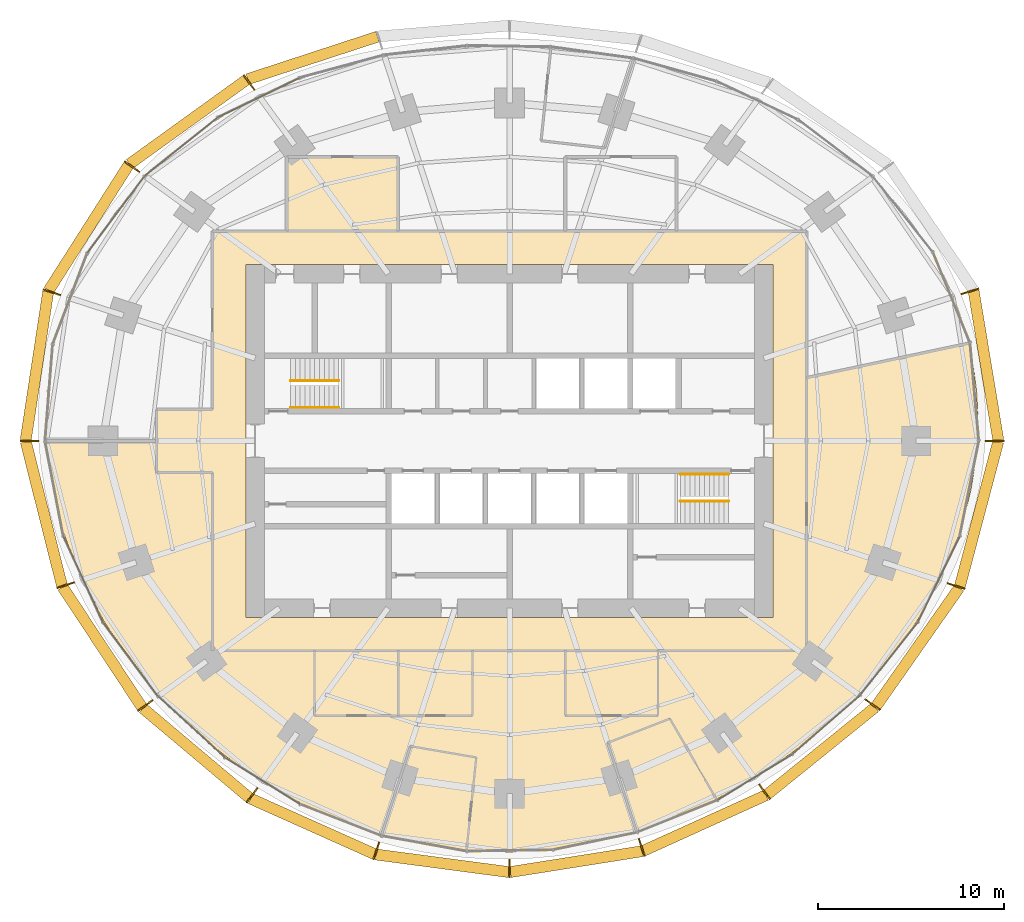
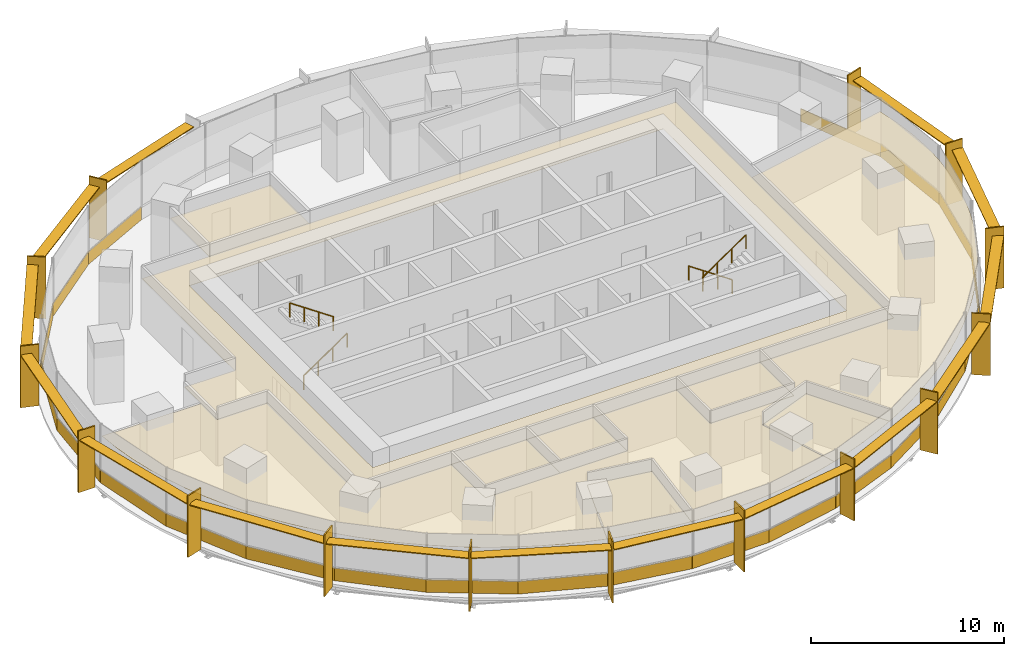
# One storey, part 13 of 14: 30 coverings, 30 shading devices, 4 railings.
"""IFC4 building model written with IfcOpenShell, lengths in metres."""

from ifc_helpers import new_model, si_unit, direction, frame, origin, origin_2d, place, context, subcontext, project, spatial, polyline, rectangle, circle, outline, extrude, material, layer, layer_set, type_object, element, save


model = new_model("IFC4")

# Units and contexts
model_context = context("Model", 3, precision=1e-05, world=origin(), true_north=direction((0.0, 1.0)))
body_context = subcontext(model_context, "Body", "Model", "MODEL_VIEW")
ifc_project = project(units=[si_unit("LENGTHUNIT", "METRE"), si_unit("AREAUNIT", "SQUARE_METRE"), si_unit("VOLUMEUNIT", "CUBIC_METRE"), si_unit("PLANEANGLEUNIT", "RADIAN"), si_unit("MASSUNIT", "GRAM", prefix="KILO")], contexts=[model_context])

# Site, building, storey
site_placement = place(None, origin())
site = spatial("IfcSite", under=ifc_project, at=site_placement, CompositionType="ELEMENT")
building_placement = place(site_placement, origin())
building = spatial("IfcBuilding", under=site, at=building_placement, Name="Marramba Exchange Tower", CompositionType="ELEMENT")
storey_placement = place(building_placement, frame((0.0, 0.0, 108.0)))
storey = spatial("IfcBuildingStorey", under=building, at=storey_placement, Name="L25", CompositionType="ELEMENT", Elevation=108.0)

# Shading devices
ifc_material_1 = material(Name="Aluminium blade, timber-look bronze finish", Category="wood")
ifc_layer_1 = layer(ifc_material_1, 0.080078125)
ifc_layer_set_1 = layer_set([ifc_layer_1], Name="Floor-edge blade 1000x80")
shading_device_type_1 = type_object("IfcShadingDeviceType", Name="Floor-edge blade 1000x80", PredefinedType="USERDEFINED", material=ifc_layer_set_1)
for number, where, z_axis, x_axis, name in (
    (1, (26.132080078125, 0.0, -0.159912109375), (0.0, 0.0, 1.0), (1.0, 0.0, 0.0), "Floor-edge blade FB1 L25 TC01"),
    (2, (24.798583984375, 8.0576171875, -0.159912109375), (0.0, 0.0, 1.0), (0.951056516295, 0.309016994375, 0.0), "Floor-edge blade FB1 L25 TC02"),
    (3, (-14.029296875, 19.3095703125, -0.159912109375), (0.0, 0.0, 1.0), (-0.587785252292, 0.809016994375, 0.0), "Floor-edge blade FB1 L25 TC08"),
    (4, (-20.33642578125, 14.775390625, -0.159912109375), (0.0, 0.0, 1.0), (-0.809016994375, 0.587785252292, 0.0), "Floor-edge blade FB1 L25 TC09"),
    (5, (-24.653076171875, 8.01025390625, -0.159912109375), (0.0, 0.0, 1.0), (-0.951056516295, 0.309016994375, 0.0), "Floor-edge blade FB1 L25 TC10"),
    (6, (-25.867919921875, 0.0, -0.159912109375), (0.0, 0.0, 1.0), (-1.0, 0.0, 0.0), "Floor-edge blade FB1 L25 TC11"),
    (7, (-23.90673828125, -7.767822265625, -0.159912109375), (0.0, 0.0, 1.0), (-0.951056516295, -0.309016994375, 0.0), "Floor-edge blade FB1 L25 TC12"),
    (8, (-19.618408203125, -14.253662109375, -0.159912109375), (0.0, 0.0, 1.0), (-0.809016994375, -0.587785252292, 0.0), "Floor-edge blade FB1 L25 TC13"),
    (9, (-13.866943359375, -19.08642578125, -0.159912109375), (0.0, 0.0, 1.0), (-0.587785252292, -0.809016994375, 0.0), "Floor-edge blade FB1 L25 TC14"),
    (10, (-7.173828125, -22.078857421875, -0.159912109375), (0.0, 0.0, 1.0), (-0.309016994375, -0.951056516295, 0.0), "Floor-edge blade FB1 L25 TC15"),
    (11, (0.0, -23.02685546875, -0.159912109375), (0.0, 0.0, 1.0), (0.0, -1.0, 0.0), "Floor-edge blade FB1 L25 TC16"),
    (12, (7.115966796875, -21.900634765625, -0.159912109375), (0.0, 0.0, 1.0), (0.309016994375, -0.951056516295, 0.0), "Floor-edge blade FB1 L25 TC17"),
    (13, (13.733154296875, -18.902099609375, -0.159912109375), (0.0, 0.0, 1.0), (0.587785252292, -0.809016994375, 0.0), "Floor-edge blade FB1 L25 TC18"),
    (14, (19.555908203125, -14.208251953125, -0.159912109375), (0.0, 0.0, 1.0), (0.809016994375, -0.587785252292, 0.0), "Floor-edge blade FB1 L25 TC19"),
    (15, (24.052001953125, -7.81494140625, -0.159912109375), (0.0, 0.0, 1.0), (0.951056516295, -0.309016994375, 0.0), "Floor-edge blade FB1 L25 TC20"),
):
    element("IfcShadingDevice", number, at=place(storey_placement, frame(where, z_axis=z_axis, x_axis=x_axis)), inside=storey, type_object=shading_device_type_1, Name=name, ObjectType="FIN", PredefinedType="USERDEFINED", context=body_context, shape_type="SweptSolid", body=[
        extrude(rectangle(XDim=1.0, YDim=0.080078125, at=origin_2d()), origin(), (0.0, 0.0, 1.0), 3.89990234375),
    ])
ifc_material_2 = material(Name="Aluminium sunshade, bronze anodised", Category="aluminium")
ifc_layer_2 = layer(ifc_material_2, 0.06005859375)
ifc_layer_set_2 = layer_set([ifc_layer_2], Name="SUNSHADE blade 600x60")
shading_device_type_2 = type_object("IfcShadingDeviceType", Name="SUNSHADE blade 600x60", PredefinedType="USERDEFINED", material=ifc_layer_set_2)
shading_device_1_placement = place(storey_placement, frame((25.660400390625, 4.0595703125, 3.159912109375), z_axis=(0.0, 0.0, 1.0), x_axis=(-0.163227675764, 0.986588427798, 0.0)))
element("IfcShadingDevice", 16, at=shading_device_1_placement, inside=storey, type_object=shading_device_type_2, Name="Sunshade SS1 L25 bay 01", ObjectType="SUNSHADE", PredefinedType="USERDEFINED", context=body_context, shape_type="SweptSolid", body=[
    extrude(rectangle(XDim=8.149658203125, YDim=0.60009765625, at=origin_2d()), origin(), (0.0, 0.0, 1.0), 0.06005859375),
])
shading_device_2_placement = place(storey_placement, frame((-10.61279296875, 20.628662109375, 3.159912109375), z_axis=(0.0, 0.0, 1.0), x_axis=(-0.950345637432, -0.311196351865, 0.0)))
element("IfcShadingDevice", 17, at=shading_device_2_placement, inside=storey, type_object=shading_device_type_2, Name="Sunshade SS1 L25 bay 07", ObjectType="SUNSHADE", PredefinedType="USERDEFINED", context=body_context, shape_type="SweptSolid", body=[
    extrude(rectangle(XDim=7.357421875, YDim=0.60009765625, at=origin_2d()), origin(), (0.0, 0.0, 1.0), 0.06005859375),
])
shading_device_3_placement = place(storey_placement, frame((-17.322509765625, 17.18212890625, 3.159912109375), z_axis=(0.0, 0.0, 1.0), x_axis=(-0.811199164202, -0.584769968448, 0.0)))
element("IfcShadingDevice", 18, at=shading_device_3_placement, inside=storey, type_object=shading_device_type_2, Name="Sunshade SS1 L25 bay 08", ObjectType="SUNSHADE", PredefinedType="USERDEFINED", context=body_context, shape_type="SweptSolid", body=[
    extrude(rectangle(XDim=7.749755859375, YDim=0.60009765625, at=origin_2d()), origin(), (0.0, 0.0, 1.0), 0.06005859375),
])
shading_device_4_placement = place(storey_placement, frame((-22.6708984375, 11.482421875, 3.159912109375), z_axis=(0.0, 0.0, 1.0), x_axis=(-0.537284770546, -0.843400898351, 0.0)))
element("IfcShadingDevice", 19, at=shading_device_4_placement, inside=storey, type_object=shading_device_type_2, Name="Sunshade SS1 L25 bay 09", ObjectType="SUNSHADE", PredefinedType="USERDEFINED", context=body_context, shape_type="SweptSolid", body=[
    extrude(rectangle(XDim=8.007080078125, YDim=0.60009765625, at=origin_2d()), origin(), (0.0, 0.0, 1.0), 0.06005859375),
])
shading_device_5_placement = place(storey_placement, frame((-25.455810546875, 4.0361328125, 3.159912109375), z_axis=(0.0, 0.0, 1.0), x_axis=(-0.14999307077, -0.988687047918, 0.0)))
element("IfcShadingDevice", 20, at=shading_device_5_placement, inside=storey, type_object=shading_device_type_2, Name="Sunshade SS1 L25 bay 10", ObjectType="SUNSHADE", PredefinedType="USERDEFINED", context=body_context, shape_type="SweptSolid", body=[
    extrude(rectangle(XDim=8.08447265625, YDim=0.60009765625, at=origin_2d()), origin(), (0.0, 0.0, 1.0), 0.06005859375),
])
shading_device_6_placement = place(storey_placement, frame((-25.08251953125, -3.914794921875, 3.159912109375), z_axis=(0.0, 0.0, 1.0), x_axis=(0.244116522902, -0.969745906537, 0.0)))
element("IfcShadingDevice", 21, at=shading_device_6_placement, inside=storey, type_object=shading_device_type_2, Name="Sunshade SS1 L25 bay 11", ObjectType="SUNSHADE", PredefinedType="USERDEFINED", context=body_context, shape_type="SweptSolid", body=[
    extrude(rectangle(XDim=7.993896484375, YDim=0.60009765625, at=origin_2d()), origin(), (0.0, 0.0, 1.0), 0.06005859375),
])
shading_device_7_placement = place(storey_placement, frame((-21.938720703125, -11.100341796875, 3.159912109375), z_axis=(0.0, 0.0, 1.0), x_axis=(0.550792342935, -0.834642315585, 0.0)))
element("IfcShadingDevice", 22, at=shading_device_7_placement, inside=storey, type_object=shading_device_type_2, Name="Sunshade SS1 L25 bay 12", ObjectType="SUNSHADE", PredefinedType="USERDEFINED", context=body_context, shape_type="SweptSolid", body=[
    extrude(rectangle(XDim=7.757568359375, YDim=0.60009765625, at=origin_2d()), origin(), (0.0, 0.0, 1.0), 0.06005859375),
])
shading_device_8_placement = place(storey_placement, frame((-16.88232421875, -16.8095703125, 3.159912109375), z_axis=(0.0, 0.0, 1.0), x_axis=(0.76513863304, -0.643865569998, 0.0)))
element("IfcShadingDevice", 23, at=shading_device_8_placement, inside=storey, type_object=shading_device_type_2, Name="Sunshade SS1 L25 bay 13", ObjectType="SUNSHADE", PredefinedType="USERDEFINED", context=body_context, shape_type="SweptSolid", body=[
    extrude(rectangle(XDim=7.49462890625, YDim=0.60009765625, at=origin_2d()), origin(), (0.0, 0.0, 1.0), 0.06005859375),
])
shading_device_9_placement = place(storey_placement, frame((-10.610107421875, -20.758544921875, 3.159912109375), z_axis=(0.0, 0.0, 1.0), x_axis=(0.912735880581, -0.408550134377, 0.0)))
element("IfcShadingDevice", 24, at=shading_device_9_placement, inside=storey, type_object=shading_device_type_2, Name="Sunshade SS1 L25 bay 14", ObjectType="SUNSHADE", PredefinedType="USERDEFINED", context=body_context, shape_type="SweptSolid", body=[
    extrude(rectangle(XDim=7.314208984375, YDim=0.60009765625, at=origin_2d()), origin(), (0.0, 0.0, 1.0), 0.06005859375),
])
shading_device_10_placement = place(storey_placement, frame((-3.617919921875, -22.748046875, 3.159912109375), z_axis=(0.0, 0.0, 1.0), x_axis=(0.991350478855, -0.131241106646, 0.0)))
element("IfcShadingDevice", 25, at=shading_device_10_placement, inside=storey, type_object=shading_device_type_2, Name="Sunshade SS1 L25 bay 15", ObjectType="SUNSHADE", PredefinedType="USERDEFINED", context=body_context, shape_type="SweptSolid", body=[
    extrude(rectangle(XDim=7.21875, YDim=0.60009765625, at=origin_2d()), origin(), (0.0, 0.0, 1.0), 0.06005859375),
])
shading_device_11_placement = place(storey_placement, frame((3.5888671875, -22.658935546875, 3.159912109375), z_axis=(0.0, 0.0, 1.0), x_axis=(0.987704817912, 0.15633039587, 0.0)))
element("IfcShadingDevice", 26, at=shading_device_11_placement, inside=storey, type_object=shading_device_type_2, Name="Sunshade SS1 L25 bay 16", ObjectType="SUNSHADE", PredefinedType="USERDEFINED", context=body_context, shape_type="SweptSolid", body=[
    extrude(rectangle(XDim=7.18701171875, YDim=0.60009765625, at=origin_2d()), origin(), (0.0, 0.0, 1.0), 0.06005859375),
])
shading_device_12_placement = place(storey_placement, frame((10.514404296875, -20.577392578125, 3.159912109375), z_axis=(0.0, 0.0, 1.0), x_axis=(0.910692240548, 0.413085515366, 0.0)))
element("IfcShadingDevice", 27, at=shading_device_12_placement, inside=storey, type_object=shading_device_type_2, Name="Sunshade SS1 L25 bay 17", ObjectType="SUNSHADE", PredefinedType="USERDEFINED", context=body_context, shape_type="SweptSolid", body=[
    extrude(rectangle(XDim=7.24755859375, YDim=0.60009765625, at=origin_2d()), origin(), (0.0, 0.0, 1.0), 0.06005859375),
])
shading_device_13_placement = place(storey_placement, frame((16.7841796875, -16.69482421875, 3.159912109375), z_axis=(0.0, 0.0, 1.0), x_axis=(0.777962439436, 0.628310785223, 0.0)))
element("IfcShadingDevice", 28, at=shading_device_13_placement, inside=storey, type_object=shading_device_type_2, Name="Sunshade SS1 L25 bay 18", ObjectType="SUNSHADE", PredefinedType="USERDEFINED", context=body_context, shape_type="SweptSolid", body=[
    extrude(rectangle(XDim=7.46142578125, YDim=0.60009765625, at=origin_2d()), origin(), (0.0, 0.0, 1.0), 0.06005859375),
])
shading_device_14_placement = place(storey_placement, frame((21.97998046875, -11.101318359375, 3.159912109375), z_axis=(0.0, 0.0, 1.0), x_axis=(0.574350885858, 0.818609222959, 0.0)))
element("IfcShadingDevice", 29, at=shading_device_14_placement, inside=storey, type_object=shading_device_type_2, Name="Sunshade SS1 L25 bay 19", ObjectType="SUNSHADE", PredefinedType="USERDEFINED", context=body_context, shape_type="SweptSolid", body=[
    extrude(rectangle(XDim=7.7978515625, YDim=0.60009765625, at=origin_2d()), origin(), (0.0, 0.0, 1.0), 0.06005859375),
])
shading_device_15_placement = place(storey_placement, frame((25.287109375, -3.9384765625, 3.159912109375), z_axis=(0.0, 0.0, 1.0), x_axis=(0.256422950151, 0.966564674833, 0.0)))
element("IfcShadingDevice", 30, at=shading_device_15_placement, inside=storey, type_object=shading_device_type_2, Name="Sunshade SS1 L25 bay 20", ObjectType="SUNSHADE", PredefinedType="USERDEFINED", context=body_context, shape_type="SweptSolid", body=[
    extrude(rectangle(XDim=8.0693359375, YDim=0.60009765625, at=origin_2d()), origin(), (0.0, 0.0, 1.0), 0.06005859375),
])

# Coverings
ifc_material_3 = material(Name="Aluminium spandrel panel, bronze anodised, insulated", Category="aluminium")
ifc_layer_3 = layer(ifc_material_3, 0.050048828125)
ifc_layer_set_3 = layer_set([ifc_layer_3], Name="Spandrel panel 800")
covering_type_1 = type_object("IfcCoveringType", Name="Spandrel panel 800", PredefinedType="CLADDING", material=ifc_layer_set_3)
covering_1_placement = place(storey_placement, frame((25.04541015625, 2.63671875, 0.0), z_axis=(0.0, 0.0, 1.0), x_axis=(-0.089412890131, 0.995994646109, 0.0)))
element("IfcCovering", 31, at=covering_1_placement, inside=storey, type_object=covering_type_1, Name="Spandrel panel SP1 L25 F01", PredefinedType="CLADDING", context=body_context, shape_type="SweptSolid", body=[
    extrude(rectangle(XDim=5.29443359375, YDim=0.050048828125, at=origin_2d()), origin(), (0.0, 0.0, 1.0), 0.800048828125),
])
covering_2_placement = place(storey_placement, frame((23.81201171875, 7.715576171875, 0.0), z_axis=(0.0, 0.0, 1.0), x_axis=(-0.377821185272, 0.925878583811, 0.0)))
element("IfcCovering", 32, at=covering_2_placement, inside=storey, type_object=covering_type_1, Name="Spandrel panel SP1 L25 F02", PredefinedType="CLADDING", context=body_context, shape_type="SweptSolid", body=[
    extrude(rectangle(XDim=5.27587890625, YDim=0.050048828125, at=origin_2d()), origin(), (0.0, 0.0, 1.0), 0.800048828125),
])
covering_3_placement = place(storey_placement, frame((-13.49609375, 18.498291015625, 0.0), z_axis=(0.0, 0.0, 1.0), x_axis=(-0.900223736484, -0.435427633794, 0.0)))
element("IfcCovering", 33, at=covering_3_placement, inside=storey, type_object=covering_type_1, Name="Spandrel panel SP1 L25 F11", PredefinedType="CLADDING", context=body_context, shape_type="SweptSolid", body=[
    extrude(rectangle(XDim=4.890625, YDim=0.050048828125, at=origin_2d()), origin(), (0.0, 0.0, 1.0), 0.800048828125),
])
covering_4_placement = place(storey_placement, frame((-17.673095703125, 15.854736328125, 0.0), z_axis=(0.0, 0.0, 1.0), x_axis=(-0.781178328369, -0.624307952285, 0.0)))
element("IfcCovering", 34, at=covering_4_placement, inside=storey, type_object=covering_type_1, Name="Spandrel panel SP1 L25 F12", PredefinedType="CLADDING", context=body_context, shape_type="SweptSolid", body=[
    extrude(rectangle(XDim=5.058349609375, YDim=0.050048828125, at=origin_2d()), origin(), (0.0, 0.0, 1.0), 0.800048828125),
])
covering_5_placement = place(storey_placement, frame((-21.19580078125, 12.20068359375, 0.0), z_axis=(0.0, 0.0, 1.0), x_axis=(-0.597703998161, -0.801716864349, 0.0)))
element("IfcCovering", 35, at=covering_5_placement, inside=storey, type_object=covering_type_1, Name="Spandrel panel SP1 L25 F13", PredefinedType="CLADDING", context=body_context, shape_type="SweptSolid", body=[
    extrude(rectangle(XDim=5.17626953125, YDim=0.050048828125, at=origin_2d()), origin(), (0.0, 0.0, 1.0), 0.800048828125),
])
covering_6_placement = place(storey_placement, frame((-23.671875, 7.677490234375, 0.0), z_axis=(0.0, 0.0, 1.0), x_axis=(-0.354844476365, -0.934925343326, 0.0)))
element("IfcCovering", 36, at=covering_6_placement, inside=storey, type_object=covering_type_1, Name="Spandrel panel SP1 L25 F14", PredefinedType="CLADDING", context=body_context, shape_type="SweptSolid", body=[
    extrude(rectangle(XDim=5.2373046875, YDim=0.050048828125, at=origin_2d()), origin(), (0.0, 0.0, 1.0), 0.800048828125),
])
covering_7_placement = place(storey_placement, frame((-24.8095703125, 2.614501953125, 0.0), z_axis=(0.0, 0.0, 1.0), x_axis=(-0.079459700697, -0.996838079111, 0.0)))
element("IfcCovering", 37, at=covering_7_placement, inside=storey, type_object=covering_type_1, Name="Spandrel panel SP1 L25 F15", PredefinedType="CLADDING", context=body_context, shape_type="SweptSolid", body=[
    extrude(rectangle(XDim=5.245849609375, YDim=0.050048828125, at=origin_2d()), origin(), (0.0, 0.0, 1.0), 0.800048828125),
])
covering_8_placement = place(storey_placement, frame((-24.5283203125, -2.5546875, 0.0), z_axis=(0.0, 0.0, 1.0), x_axis=(0.188227222909, -0.982125507538, 0.0)))
element("IfcCovering", 38, at=covering_8_placement, inside=storey, type_object=covering_type_1, Name="Spandrel panel SP1 L25 F16", PredefinedType="CLADDING", context=body_context, shape_type="SweptSolid", body=[
    extrude(rectangle(XDim=5.20263671875, YDim=0.050048828125, at=origin_2d()), origin(), (0.0, 0.0, 1.0), 0.800048828125),
])
covering_9_placement = place(storey_placement, frame((-22.973876953125, -7.43212890625, 0.0), z_axis=(0.0, 0.0, 1.0), x_axis=(0.416737850896, -0.909026712275, 0.0)))
element("IfcCovering", 39, at=covering_9_placement, inside=storey, type_object=covering_type_1, Name="Spandrel panel SP1 L25 F17", PredefinedType="CLADDING", context=body_context, shape_type="SweptSolid", body=[
    extrude(rectangle(XDim=5.10986328125, YDim=0.050048828125, at=origin_2d()), origin(), (0.0, 0.0, 1.0), 0.800048828125),
])
covering_10_placement = place(storey_placement, frame((-20.419921875, -11.75439453125, 0.0), z_axis=(0.0, 0.0, 1.0), x_axis=(0.597304701232, -0.802014397555, 0.0)))
element("IfcCovering", 40, at=covering_10_placement, inside=storey, type_object=covering_type_1, Name="Spandrel panel SP1 L25 F18", PredefinedType="CLADDING", context=body_context, shape_type="SweptSolid", body=[
    extrude(rectangle(XDim=4.986572265625, YDim=0.050048828125, at=origin_2d()), origin(), (0.0, 0.0, 1.0), 0.800048828125),
])
covering_11_placement = place(storey_placement, frame((-17.135986328125, -15.39599609375, 0.0), z_axis=(0.0, 0.0, 1.0), x_axis=(0.737821889246, -0.674995451651, 0.0)))
element("IfcCovering", 41, at=covering_11_placement, inside=storey, type_object=covering_type_1, Name="Spandrel panel SP1 L25 F19", PredefinedType="CLADDING", context=body_context, shape_type="SweptSolid", body=[
    extrude(rectangle(XDim=4.865234375, YDim=0.050048828125, at=origin_2d()), origin(), (0.0, 0.0, 1.0), 0.800048828125),
])
covering_12_placement = place(storey_placement, frame((-13.31787109375, -18.300537109375, 0.0), z_axis=(0.0, 0.0, 1.0), x_axis=(0.848354599309, -0.529428440708, 0.0)))
element("IfcCovering", 42, at=covering_12_placement, inside=storey, type_object=covering_type_1, Name="Spandrel panel SP1 L25 F20", PredefinedType="CLADDING", context=body_context, shape_type="SweptSolid", body=[
    extrude(rectangle(XDim=4.76953125, YDim=0.050048828125, at=origin_2d()), origin(), (0.0, 0.0, 1.0), 0.800048828125),
])
covering_13_placement = place(storey_placement, frame((-9.10302734375, -20.416748046875, 0.0), z_axis=(0.0, 0.0, 1.0), x_axis=(0.931818387481, -0.362924913381, 0.0)))
element("IfcCovering", 43, at=covering_13_placement, inside=storey, type_object=covering_type_1, Name="Spandrel panel SP1 L25 F21", PredefinedType="CLADDING", context=body_context, shape_type="SweptSolid", body=[
    extrude(rectangle(XDim=4.704345703125, YDim=0.050048828125, at=origin_2d()), origin(), (0.0, 0.0, 1.0), 0.800048828125),
])
covering_14_placement = place(storey_placement, frame((-4.616943359375, -21.685302734375, 0.0), z_axis=(0.0, 0.0, 1.0), x_axis=(0.984031866928, -0.177992373069, 0.0)))
element("IfcCovering", 44, at=covering_14_placement, inside=storey, type_object=covering_type_1, Name="Spandrel panel SP1 L25 F22", PredefinedType="CLADDING", context=body_context, shape_type="SweptSolid", body=[
    extrude(rectangle(XDim=4.662841796875, YDim=0.050048828125, at=origin_2d()), origin(), (0.0, 0.0, 1.0), 0.800048828125),
])
covering_15_placement = place(storey_placement, frame((-0.003662109375, -22.065185546875, 0.0), z_axis=(0.0, 0.0, 1.0), x_axis=(0.999884797651, 0.015178650325, 0.0)))
element("IfcCovering", 45, at=covering_15_placement, inside=storey, type_object=covering_type_1, Name="Spandrel panel SP1 L25 F23", PredefinedType="CLADDING", context=body_context, shape_type="SweptSolid", body=[
    extrude(rectangle(XDim=4.638916015625, YDim=0.050048828125, at=origin_2d()), origin(), (0.0, 0.0, 1.0), 0.800048828125),
])
covering_16_placement = place(storey_placement, frame((4.58447265625, -21.56103515625, 0.0), z_axis=(0.0, 0.0, 1.0), x_axis=(0.979310200528, 0.202364846604, 0.0)))
element("IfcCovering", 46, at=covering_16_placement, inside=storey, type_object=covering_type_1, Name="Spandrel panel SP1 L25 F24", PredefinedType="CLADDING", context=body_context, shape_type="SweptSolid", body=[
    extrude(rectangle(XDim=4.6337890625, YDim=0.050048828125, at=origin_2d()), origin(), (0.0, 0.0, 1.0), 0.800048828125),
])
covering_17_placement = place(storey_placement, frame((9.014892578125, -20.225341796875, 0.0), z_axis=(0.0, 0.0, 1.0), x_axis=(0.928148914987, 0.372209069755, 0.0)))
element("IfcCovering", 47, at=covering_17_placement, inside=storey, type_object=covering_type_1, Name="Spandrel panel SP1 L25 F25", PredefinedType="CLADDING", context=body_context, shape_type="SweptSolid", body=[
    extrude(rectangle(XDim=4.657958984375, YDim=0.050048828125, at=origin_2d()), origin(), (0.0, 0.0, 1.0), 0.800048828125),
])
covering_18_placement = place(storey_placement, frame((13.193115234375, -18.125244140625, 0.0), z_axis=(0.0, 0.0, 1.0), x_axis=(0.853109118827, 0.521732528576, 0.0)))
element("IfcCovering", 48, at=covering_18_placement, inside=storey, type_object=covering_type_1, Name="Spandrel panel SP1 L25 F26", PredefinedType="CLADDING", context=body_context, shape_type="SweptSolid", body=[
    extrude(rectangle(XDim=4.7275390625, YDim=0.050048828125, at=origin_2d()), origin(), (0.0, 0.0, 1.0), 0.800048828125),
])
covering_19_placement = place(storey_placement, frame((17.038818359375, -15.30029296875, 0.0), z_axis=(0.0, 0.0, 1.0), x_axis=(0.754385510875, 0.656431642277, 0.0)))
element("IfcCovering", 49, at=covering_19_placement, inside=storey, type_object=covering_type_1, Name="Spandrel panel SP1 L25 F27", PredefinedType="CLADDING", context=body_context, shape_type="SweptSolid", body=[
    extrude(rectangle(XDim=4.849609375, YDim=0.050048828125, at=origin_2d()), origin(), (0.0, 0.0, 1.0), 0.800048828125),
])
covering_20_placement = place(storey_placement, frame((20.425048828125, -11.747802734375, 0.0), z_axis=(0.0, 0.0, 1.0), x_axis=(0.621807470279, 0.783170141097, 0.0)))
element("IfcCovering", 50, at=covering_20_placement, inside=storey, type_object=covering_type_1, Name="Spandrel panel SP1 L25 F28", PredefinedType="CLADDING", context=body_context, shape_type="SweptSolid", body=[
    extrude(rectangle(XDim=5.00732421875, YDim=0.050048828125, at=origin_2d()), origin(), (0.0, 0.0, 1.0), 0.800048828125),
])
covering_21_placement = place(storey_placement, frame((23.114013671875, -7.47021484375, 0.0), z_axis=(0.0, 0.0, 1.0), x_axis=(0.439086346903, 0.898444867515, 0.0)))
element("IfcCovering", 51, at=covering_21_placement, inside=storey, type_object=covering_type_1, Name="Spandrel panel SP1 L25 F29", PredefinedType="CLADDING", context=body_context, shape_type="SweptSolid", body=[
    extrude(rectangle(XDim=5.156982421875, YDim=0.050048828125, at=origin_2d()), origin(), (0.0, 0.0, 1.0), 0.800048828125),
])
covering_22_placement = place(storey_placement, frame((24.76416015625, -2.576904296875, 0.0), z_axis=(0.0, 0.0, 1.0), x_axis=(0.197048514193, 0.980393738788, 0.0)))
element("IfcCovering", 52, at=covering_22_placement, inside=storey, type_object=covering_type_1, Name="Spandrel panel SP1 L25 F30", PredefinedType="CLADDING", context=body_context, shape_type="SweptSolid", body=[
    extrude(rectangle(XDim=5.2568359375, YDim=0.050048828125, at=origin_2d()), origin(), (0.0, 0.0, 1.0), 0.800048828125),
])

# Railings
ifc_material_4 = material(Name="Stainless steel handrail", Category="steel")
railing_type = type_object("IfcRailingType", Name="Stair handrail 900", PredefinedType="HANDRAIL", material=ifc_material_4)
railing_1_placement = place(storey_placement, frame((-11.800048828125, 1.800048828125, 0.17724609375)))
element("IfcRailing", 53, at=railing_1_placement, inside=storey, type_object=railing_type, Name="Handrail HR1 ST1 L25 flight 1", PredefinedType="HANDRAIL", context=body_context, shape_type="SweptSolid", body=[
    extrude(circle(Radius=0.02392578125, at=origin_2d()), frame((0.0, 0.0, 0.8759765625), z_axis=(0.826240473404, 0.0, 0.563317565952), x_axis=(0.0, 1.0, 0.0)), (0.0, 0.0, 1.0), 3.14697265625),
    extrude(circle(Radius=0.02099609375, at=origin_2d()), origin(), (0.0, 0.0, 1.0), 0.851806640625),
    extrude(circle(Radius=0.02099609375, at=origin_2d()), frame((0.86669921875, 0.0, 0.5908203125)), (0.0, 0.0, 1.0), 0.851806640625),
    extrude(circle(Radius=0.02099609375, at=origin_2d()), frame((1.7333984375, 0.0, 1.181884765625)), (0.0, 0.0, 1.0), 0.851806640625),
    extrude(circle(Radius=0.02099609375, at=origin_2d()), frame((2.60009765625, 0.0, 1.772705078125)), (0.0, 0.0, 1.0), 0.851806640625),
])
for number, where, name in (
    (54, (-9.199951171875, 3.25, 2.127197265625), "Handrail HR1 ST1 L25 flight 2"),
    (55, (11.800048828125, -1.800048828125, 0.17724609375), "Handrail HR1 ST2 L25 flight 1"),
):
    element("IfcRailing", number, at=place(storey_placement, frame(where)), inside=storey, type_object=railing_type, Name=name, PredefinedType="HANDRAIL", context=body_context, shape_type="SweptSolid", body=[
        extrude(circle(Radius=0.02392578125, at=origin_2d()), frame((0.0, 0.0, 0.8759765625), z_axis=(-0.826240473404, 0.0, 0.563317565952), x_axis=(0.0, -1.0, 0.0)), (0.0, 0.0, 1.0), 3.14697265625),
        extrude(circle(Radius=0.02099609375, at=origin_2d()), origin(), (0.0, 0.0, 1.0), 0.851806640625),
        extrude(circle(Radius=0.02099609375, at=origin_2d()), frame((-0.86669921875, 0.0, 0.5908203125)), (0.0, 0.0, 1.0), 0.851806640625),
        extrude(circle(Radius=0.02099609375, at=origin_2d()), frame((-1.7333984375, 0.0, 1.181884765625)), (0.0, 0.0, 1.0), 0.851806640625),
        extrude(circle(Radius=0.02099609375, at=origin_2d()), frame((-2.60009765625, 0.0, 1.772705078125)), (0.0, 0.0, 1.0), 0.851806640625),
    ])
railing_2_placement = place(storey_placement, frame((9.199951171875, -3.25, 2.127197265625)))
element("IfcRailing", 56, at=railing_2_placement, inside=storey, type_object=railing_type, Name="Handrail HR1 ST2 L25 flight 2", PredefinedType="HANDRAIL", context=body_context, shape_type="SweptSolid", body=[
    extrude(circle(Radius=0.02392578125, at=origin_2d()), frame((0.0, 0.0, 0.8759765625), z_axis=(0.826240473404, 0.0, 0.563317565952), x_axis=(0.0, 1.0, 0.0)), (0.0, 0.0, 1.0), 3.14697265625),
    extrude(circle(Radius=0.02099609375, at=origin_2d()), origin(), (0.0, 0.0, 1.0), 0.851806640625),
    extrude(circle(Radius=0.02099609375, at=origin_2d()), frame((0.86669921875, 0.0, 0.5908203125)), (0.0, 0.0, 1.0), 0.851806640625),
    extrude(circle(Radius=0.02099609375, at=origin_2d()), frame((1.7333984375, 0.0, 1.181884765625)), (0.0, 0.0, 1.0), 0.851806640625),
    extrude(circle(Radius=0.02099609375, at=origin_2d()), frame((2.60009765625, 0.0, 1.772705078125)), (0.0, 0.0, 1.0), 0.851806640625),
])

# Coverings
ifc_material_5 = material(Name="Mineral fibre ceiling tiles", Category="gypsum")
ifc_layer_4 = layer(ifc_material_5, 0.02001953125)
ifc_layer_set_4 = layer_set([ifc_layer_4], Name="Suspended ceiling 20")
covering_type_2 = type_object("IfcCoveringType", Name="Suspended ceiling 20", PredefinedType="CEILING", material=ifc_layer_set_4)
covering_23_placement = place(storey_placement, frame((0.0, 0.0, 2.89990234375)))
element("IfcCovering", 57, at=covering_23_placement, inside=storey, type_object=covering_type_2, Name="Ceiling CL1 L25 Open Plan Office 1", PredefinedType="CEILING", context=body_context, shape_type="SweptSolid", body=[
    extrude(outline(polyline([(-16.0, -1.699951171875), (-16.0, -11.300048828125), (-10.5, -11.300048828125), (-10.5, -14.800048828125), (-6.0, -14.800048828125), (-2.0, -14.800048828125), (-2.0, -11.300048828125), (3.0, -11.300048828125), (3.0, -14.800048828125), (8.0, -14.800048828125), (8.0, -11.300048828125), (16.0, -11.300048828125), (16.0, 3.40087890625), (24.73046875, 5.256591796875), (24.99560546875, 3.958984375), (25.16259765625, 2.644775390625), (25.231201171875, 1.322265625), (25.201904296875, 0.0), (25.077392578125, -1.314208984375), (24.8603515625, -2.61279296875), (24.555419921875, -3.88916015625), (24.16796875, -5.136962890625), (23.703125, -6.351318359375), (23.16748046875, -7.527587890625), (22.5673828125, -8.662841796875), (21.90869140625, -9.75439453125), (21.197509765625, -10.80078125), (20.439697265625, -11.80078125), (19.64013671875, -12.75439453125), (18.803466796875, -13.66162109375), (17.93359375, -14.5224609375), (17.033935546875, -15.33740234375), (16.107421875, -16.107421875), (15.156005859375, -16.83251953125), (14.181884765625, -17.51318359375), (13.1865234375, -18.14990234375), (12.171142578125, -18.741943359375), (11.13671875, -19.289306640625), (8.63671875, -14.958984375), (5.283447265625, -16.260986328125), (6.82861328125, -21.01611328125), (5.714599609375, -21.3271484375), (4.58837890625, -21.587158203125), (3.4521484375, -21.79541015625), (2.30712890625, -21.950439453125), (1.15576171875, -22.05126953125), (0.0, -22.096923828125), (-1.157470703125, -22.0869140625), (-2.314453125, -22.020751953125), (-1.791748046875, -17.048095703125), (-5.34130859375, -16.439208984375), (-6.886474609375, -21.1943359375), (-6.886474609375, -21.1943359375), (-8.00341796875, -20.84912109375), (-9.10498046875, -20.4501953125), (-10.189453125, -19.997802734375), (-11.2548828125, -19.493896484375), (-12.299072265625, -18.938720703125), (-13.3203125, -18.333984375), (-14.317138671875, -17.68017578125), (-15.28759765625, -16.978515625), (-16.229736328125, -16.229736328125), (-17.1416015625, -15.434326171875), (-18.021240234375, -14.59326171875), (-18.865966796875, -13.706787109375), (-19.673095703125, -12.77587890625), (-20.439697265625, -11.80078125), (-21.162109375, -10.78271484375), (-21.836181640625, -9.72216796875), (-22.457763671875, -8.62060546875), (-23.022216796875, -7.48046875), (-23.52490234375, -6.303466796875), (-23.96044921875, -5.093017578125), (-24.32421875, -3.8525390625), (-24.611083984375, -2.586669921875), (-24.81689453125, -1.300537109375), (-24.93798828125, 0.0), (-19.0, 0.0), (-19.0, -1.699951171875), (-16.0, -1.699951171875)])), origin(), (0.0, 0.0, 1.0), 0.02001953125),
])
covering_24_placement = place(storey_placement, frame((0.0, 0.0, 2.89990234375)))
element("IfcCovering", 58, at=covering_24_placement, inside=storey, type_object=covering_type_2, Name="Ceiling CL1 L25 Corridor", PredefinedType="CEILING", context=body_context, shape_type="SweptSolid", body=[
    extrude(outline(polyline([(-16.0, 11.300048828125), (16.0, 11.300048828125), (16.0, -11.300048828125), (-16.0, -11.300048828125), (-16.0, -1.699951171875), (-19.0, -1.699951171875), (-19.0, 1.699951171875), (-16.0, 1.699951171875), (-16.0, 11.300048828125)]), holes=[polyline([(14.199951171875, 9.5), (-14.199951171875, 9.5), (-14.199951171875, 1.699951171875), (-14.199951171875, -1.699951171875), (-14.199951171875, -9.5), (14.199951171875, -9.5), (14.199951171875, 9.5)])]), origin(), (0.0, 0.0, 1.0), 0.02001953125),
])
covering_25_placement = place(storey_placement, frame((0.0, 0.0, 2.89990234375)))
element("IfcCovering", 59, at=covering_25_placement, inside=storey, type_object=covering_type_2, Name="Ceiling CL1 L25 Office 1", PredefinedType="CEILING", context=body_context, shape_type="SweptSolid", body=[
    extrude(outline(polyline([(10.083984375, -19.791259765625), (9.853515625, -19.889404296875), (9.0146484375, -20.2470703125), (7.928955078125, -20.65576171875), (6.82861328125, -21.01611328125), (5.283447265625, -16.260986328125), (8.63671875, -14.958984375), (11.13671875, -19.289306640625), (10.083984375, -19.791259765625)])), origin(), (0.0, 0.0, 1.0), 0.02001953125),
])
covering_26_placement = place(storey_placement, frame((0.0, 0.0, 2.89990234375)))
element("IfcCovering", 60, at=covering_26_placement, inside=storey, type_object=covering_type_2, Name="Ceiling CL1 L25 Office 2", PredefinedType="CEILING", context=body_context, shape_type="SweptSolid", body=[
    extrude(outline(polyline([(-3.468505859375, -21.898193359375), (-4.61669921875, -21.719482421875), (-5.07666015625, -21.624755859375), (-5.7568359375, -21.484619140625), (-6.11279296875, -21.393310546875), (-6.886474609375, -21.1943359375), (-5.34130859375, -16.439208984375), (-1.791748046875, -17.048095703125), (-2.314453125, -22.020751953125), (-3.468505859375, -21.898193359375)])), origin(), (0.0, 0.0, 1.0), 0.02001953125),
])
covering_27_placement = place(storey_placement, frame((0.0, 0.0, 2.89990234375)))
element("IfcCovering", 61, at=covering_27_placement, inside=storey, type_object=covering_type_2, Name="Ceiling CL1 L25 Pantry 1", PredefinedType="CEILING", context=body_context, shape_type="SweptSolid", body=[
    extrude(outline(polyline([(8.0, -14.800048828125), (3.0, -14.800048828125), (3.0, -11.300048828125), (8.0, -11.300048828125), (8.0, -14.800048828125)])), origin(), (0.0, 0.0, 1.0), 0.02001953125),
])
covering_28_placement = place(storey_placement, frame((0.0, 0.0, 2.89990234375)))
element("IfcCovering", 62, at=covering_28_placement, inside=storey, type_object=covering_type_2, Name="Ceiling CL1 L25 Meeting Room 2", PredefinedType="CEILING", context=body_context, shape_type="SweptSolid", body=[
    extrude(outline(polyline([(-6.0, 11.300048828125), (-12.0, 11.300048828125), (-12.0, 15.300048828125), (-6.0, 15.300048828125), (-6.0, 11.300048828125)])), origin(), (0.0, 0.0, 1.0), 0.02001953125),
])
covering_29_placement = place(storey_placement, frame((0.0, 0.0, 2.89990234375)))
element("IfcCovering", 63, at=covering_29_placement, inside=storey, type_object=covering_type_2, Name="Ceiling CL1 L25 Pantry 2", PredefinedType="CEILING", context=body_context, shape_type="SweptSolid", body=[
    extrude(outline(polyline([(-6.0, -14.800048828125), (-10.5, -14.800048828125), (-10.5, -11.300048828125), (-6.0, -11.300048828125), (-6.0, -14.800048828125)])), origin(), (0.0, 0.0, 1.0), 0.02001953125),
])
covering_30_placement = place(storey_placement, frame((0.0, 0.0, 2.89990234375)))
element("IfcCovering", 64, at=covering_30_placement, inside=storey, type_object=covering_type_2, Name="Ceiling CL1 L25 Print Room", PredefinedType="CEILING", context=body_context, shape_type="SweptSolid", body=[
    extrude(outline(polyline([(-2.0, -14.800048828125), (-6.0, -14.800048828125), (-6.0, -11.300048828125), (-2.0, -11.300048828125), (-2.0, -14.800048828125)])), origin(), (0.0, 0.0, 1.0), 0.02001953125),
])

save(model, "model.ifc")
